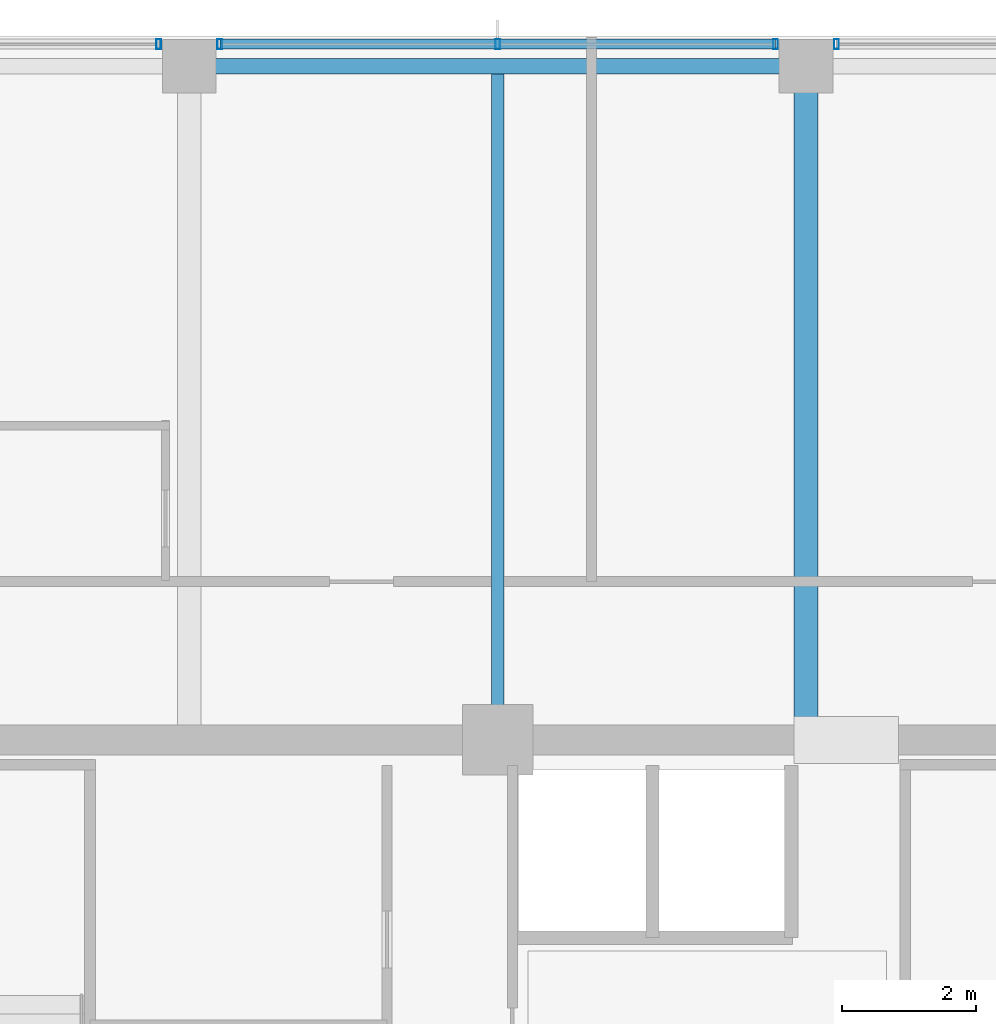
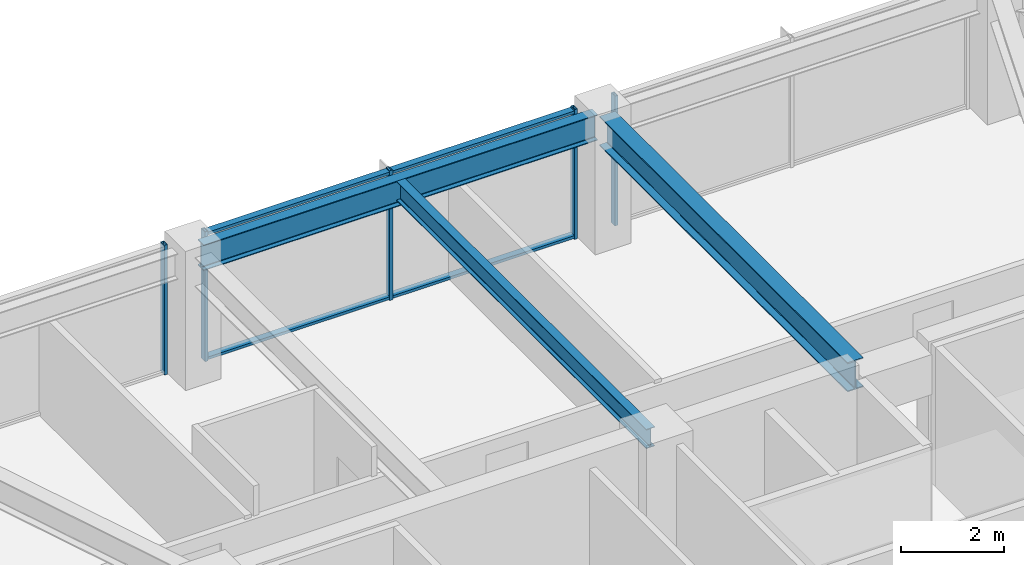
# One storey, part 18 of 34: 7 members, 3 beams, 3 elements without a shape of their own.
"""IFC4 building model written with IfcOpenShell, lengths in metres."""

from ifc_helpers import new_model, si_unit, direction, frame, origin, origin_2d, place, context, subcontext, project, spatial, hollow_rectangle, i_section, extrude, material, material_profile, profile_set, type_object, element, aggregate, save


model = new_model("IFC4")

# Units and contexts
model_context = context("Model", 3, precision=1e-05, world=origin(), true_north=direction((0.0, 1.0)))
body_context = subcontext(model_context, "Body", "Model", "MODEL_VIEW")
ifc_project = project(units=[si_unit("LENGTHUNIT", "METRE"), si_unit("AREAUNIT", "SQUARE_METRE"), si_unit("VOLUMEUNIT", "CUBIC_METRE"), si_unit("PLANEANGLEUNIT", "RADIAN"), si_unit("MASSUNIT", "GRAM", prefix="KILO")], contexts=[model_context])

# Site, building, storey
site_placement = place(None, origin())
site = spatial("IfcSite", under=ifc_project, at=site_placement, CompositionType="ELEMENT")
building_placement = place(site_placement, origin())
building = spatial("IfcBuilding", under=site, at=building_placement, Name="Kolvaren Belvedere", CompositionType="ELEMENT")
storey_placement = place(building_placement, frame((0.0, 0.0, 222.89990234375)))
storey = spatial("IfcBuildingStorey", under=building, at=storey_placement, Name="L65", CompositionType="ELEMENT", Elevation=222.89990234375)

# Beams
ifc_material_1 = material(Name="Structural steel ASTM A992 Grade 50", Category="steel")
ifc_material_profile_1 = material_profile(ifc_material_1, i_section(OverallWidth=0.35498046875, OverallDepth=0.696044921875, WebThickness=0.015380859375, FlangeThickness=0.02490234375, FilletRadius=0.02197265625, at=origin_2d()), Name="W27X146")
ifc_profile_set_1 = profile_set([ifc_material_profile_1], Name="Structural steel ASTM A992 Grade 50")
beam_type_1 = type_object("IfcBeamType", Name="BM-GIRD-W27X146", PredefinedType="BEAM", material=ifc_profile_set_1)
beam_1_placement = place(storey_placement, frame((4.60009765625, 10.125, 2.732177734375), z_axis=(0.0, 1.0, 0.0), x_axis=(-1.0, 0.0, 0.0)))
element("IfcBeam", 1, at=beam_1_placement, inside=storey, type_object=beam_type_1, Name="L65 North Radial Girder P", PredefinedType="BEAM", context=body_context, shape_type="SweptSolid", body=[
    extrude(i_section(OverallWidth=0.35498046875, OverallDepth=0.696044921875, WebThickness=0.015380859375, FlangeThickness=0.02490234375, FilletRadius=0.02197265625, at=origin_2d()), origin(), (0.0, 0.0, 1.0), 9.64501953125),
])
ifc_material_2 = material(Name="Structural steel ASTM A992 Grade 50", Category="steel")
ifc_material_profile_2 = material_profile(ifc_material_2, i_section(OverallWidth=0.19091796875, OverallDepth=0.4599609375, WebThickness=0.010009765625, FlangeThickness=0.01611328125, FilletRadius=0.014892578125, at=origin_2d()), Name="W18X55")
ifc_profile_set_2 = profile_set([ifc_material_profile_2], Name="Structural steel ASTM A992 Grade 50")
beam_type_2 = type_object("IfcBeamType", Name="BM-JOIST-W18X55", PredefinedType="BEAM", material=ifc_profile_set_2)
beam_2_placement = place(storey_placement, frame((0.0, 10.125, 2.85009765625), z_axis=(0.0, 1.0, 0.0), x_axis=(-1.0, 0.0, 0.0)))
element("IfcBeam", 2, at=beam_2_placement, inside=storey, type_object=beam_type_2, Name="L65 North Centre Floor Beam", PredefinedType="BEAM", context=body_context, shape_type="SweptSolid", body=[
    extrude(i_section(OverallWidth=0.19091796875, OverallDepth=0.4599609375, WebThickness=0.010009765625, FlangeThickness=0.01611328125, FilletRadius=0.014892578125, at=origin_2d()), origin(), (0.0, 0.0, 1.0), 9.71044921875),
])
ifc_material_3 = material(Name="Structural steel ASTM A992 Grade 50", Category="steel")
ifc_material_profile_3 = material_profile(ifc_material_3, i_section(OverallWidth=0.22900390625, OverallDepth=0.612060546875, WebThickness=0.011962890625, FlangeThickness=0.01953125, FilletRadius=0.01806640625, at=origin_2d()), Name="W24X84")
ifc_profile_set_3 = profile_set([ifc_material_profile_3], Name="Structural steel ASTM A992 Grade 50")
beam_type_3 = type_object("IfcBeamType", Name="BM-SPAN-W24X84", PredefinedType="SPANDREL", material=ifc_profile_set_3)
beam_3_placement = place(storey_placement, frame((4.419921875, 19.949951171875, 2.774169921875), z_axis=(-1.0, 0.0, 0.0), x_axis=(0.0, -1.0, 0.0)))
element("IfcBeam", 3, at=beam_3_placement, inside=storey, type_object=beam_type_3, Name="L65 Perimeter Spandrel N3-N2", PredefinedType="SPANDREL", context=body_context, shape_type="SweptSolid", body=[
    extrude(i_section(OverallWidth=0.22900390625, OverallDepth=0.612060546875, WebThickness=0.011962890625, FlangeThickness=0.01953125, FilletRadius=0.01806640625, at=origin_2d()), origin(), (0.0, 0.0, 1.0), 8.83984375),
])

# Curtain wall, member
ifc_material_4 = material(Name="Anodised pale-metal aluminium AA 6063-T6", Category="aluminium")
curtain_wall_type = type_object("IfcCurtainWallType", Name="CW-Z5-HIGH", PredefinedType="NOTDEFINED", material=ifc_material_4)
curtain_wall_1_placement = place(storey_placement, origin())
curtain_wall_1 = element("IfcCurtainWall", 4, at=curtain_wall_1_placement, inside=storey, type_object=curtain_wall_type, Name="L65 Unitised Curtain Wall FCW-L65-N-B1", PredefinedType="NOTDEFINED")
ifc_material_5 = material(Name="Anodised pale-metal aluminium AA 6063-T6", Category="aluminium")
ifc_material_profile_4 = material_profile(ifc_material_5, hollow_rectangle(XDim=0.070068359375, YDim=0.14990234375, WallThickness=0.004150390625, at=origin_2d()), Name="ALU-MUL-150X70")
ifc_profile_set_4 = profile_set([ifc_material_profile_4], Name="Anodised pale-metal aluminium AA 6063-T6")
member_type_1 = type_object("IfcMemberType", Name="CW-MUL-150", PredefinedType="MULLION", material=ifc_profile_set_4)
member_1_placement = place(storey_placement, frame((-5.054931640625, 20.280029296875, 0.0), z_axis=(0.0, 0.0, 1.0), x_axis=(1.0, 0.0, 0.0)))
member_1 = element("IfcMember", 5, at=member_1_placement, type_object=member_type_1, Name="FCW-L65-N-B1 Unitised Mullion 3", PredefinedType="MULLION", context=body_context, shape_type="SweptSolid", body=[
    extrude(hollow_rectangle(XDim=0.070068359375, YDim=0.14990234375, WallThickness=0.004150390625, at=origin_2d()), origin(), (0.0, 0.0, 1.0), 3.080078125),
])
aggregate(curtain_wall_1, [member_1])

# Curtain wall, members
curtain_wall_2_placement = place(storey_placement, origin())
curtain_wall_2 = element("IfcCurtainWall", 6, at=curtain_wall_2_placement, inside=storey, type_object=curtain_wall_type, Name="L65 Unitised Curtain Wall FCW-L65-N-B2", PredefinedType="NOTDEFINED")
member_2_placement = place(storey_placement, frame((-4.14501953125, 20.280029296875, 0.0), z_axis=(0.0, 0.0, 1.0), x_axis=(1.0, 0.0, 0.0)))
member_2 = element("IfcMember", 7, at=member_2_placement, type_object=member_type_1, Name="FCW-L65-N-B2 Unitised Mullion 1", PredefinedType="MULLION", context=body_context, shape_type="SweptSolid", body=[
    extrude(hollow_rectangle(XDim=0.070068359375, YDim=0.14990234375, WallThickness=0.004150390625, at=origin_2d()), origin(), (0.0, 0.0, 1.0), 3.080078125),
])
member_3_placement = place(storey_placement, frame((0.0, 20.280029296875, 0.0), z_axis=(0.0, 0.0, 1.0), x_axis=(1.0, 0.0, 0.0)))
member_3 = element("IfcMember", 8, at=member_3_placement, type_object=member_type_1, Name="FCW-L65-N-B2 Unitised Mullion 2", PredefinedType="MULLION", context=body_context, shape_type="SweptSolid", body=[
    extrude(hollow_rectangle(XDim=0.070068359375, YDim=0.14990234375, WallThickness=0.004150390625, at=origin_2d()), origin(), (0.0, 0.0, 1.0), 3.080078125),
])
member_4_placement = place(storey_placement, frame((4.14501953125, 20.280029296875, 0.0), z_axis=(0.0, 0.0, 1.0), x_axis=(1.0, 0.0, 0.0)))
member_4 = element("IfcMember", 9, at=member_4_placement, type_object=member_type_1, Name="FCW-L65-N-B2 Unitised Mullion 3", PredefinedType="MULLION", context=body_context, shape_type="SweptSolid", body=[
    extrude(hollow_rectangle(XDim=0.070068359375, YDim=0.14990234375, WallThickness=0.004150390625, at=origin_2d()), origin(), (0.0, 0.0, 1.0), 3.080078125),
])

# Curtain wall, member
curtain_wall_3_placement = place(storey_placement, origin())
curtain_wall_3 = element("IfcCurtainWall", 10, at=curtain_wall_3_placement, inside=storey, type_object=curtain_wall_type, Name="L65 Unitised Curtain Wall FCW-L65-N-B3", PredefinedType="NOTDEFINED")
member_5_placement = place(storey_placement, frame((5.054931640625, 20.280029296875, 0.0), z_axis=(0.0, 0.0, 1.0), x_axis=(1.0, 0.0, 0.0)))
member_5 = element("IfcMember", 11, at=member_5_placement, type_object=member_type_1, Name="FCW-L65-N-B3 Unitised Mullion 1", PredefinedType="MULLION", context=body_context, shape_type="SweptSolid", body=[
    extrude(hollow_rectangle(XDim=0.070068359375, YDim=0.14990234375, WallThickness=0.004150390625, at=origin_2d()), origin(), (0.0, 0.0, 1.0), 3.080078125),
])
aggregate(curtain_wall_3, [member_5])

# Member
ifc_material_6 = material(Name="Anodised pale-metal aluminium AA 6063-T6", Category="aluminium")
ifc_material_profile_5 = material_profile(ifc_material_6, hollow_rectangle(XDim=0.06494140625, YDim=0.14990234375, WallThickness=0.00390625, at=origin_2d()), Name="ALU-TRN-150X65")
ifc_profile_set_5 = profile_set([ifc_material_profile_5], Name="Anodised pale-metal aluminium AA 6063-T6")
member_type_2 = type_object("IfcMemberType", Name="CW-TRN-150", PredefinedType="USERDEFINED", material=ifc_profile_set_5)
member_6_placement = place(storey_placement, frame((-4.14501953125, 20.280029296875, 0.06005859375), z_axis=(1.0, 0.0, 0.0), x_axis=(0.0, 0.0, 1.0)))
member_6 = element("IfcMember", 12, at=member_6_placement, type_object=member_type_2, Name="FCW-L65-N-B2 Sill Transom", ObjectType="TRANSOM", PredefinedType="USERDEFINED", context=body_context, shape_type="SweptSolid", body=[
    extrude(hollow_rectangle(XDim=0.06494140625, YDim=0.14990234375, WallThickness=0.00390625, at=origin_2d()), origin(), (0.0, 0.0, 1.0), 8.2900390625),
])

member_7_placement = place(storey_placement, frame((-4.14501953125, 20.280029296875, 3.02001953125), z_axis=(1.0, 0.0, 0.0), x_axis=(0.0, 0.0, 1.0)))
member_7 = element("IfcMember", 13, at=member_7_placement, type_object=member_type_2, Name="FCW-L65-N-B2 Head Transom", ObjectType="TRANSOM", PredefinedType="USERDEFINED", context=body_context, shape_type="SweptSolid", body=[
    extrude(hollow_rectangle(XDim=0.06494140625, YDim=0.14990234375, WallThickness=0.00390625, at=origin_2d()), origin(), (0.0, 0.0, 1.0), 8.2900390625),
])

aggregate(curtain_wall_2, [member_2, member_3, member_4, member_6, member_7])

save(model, "model.ifc")
